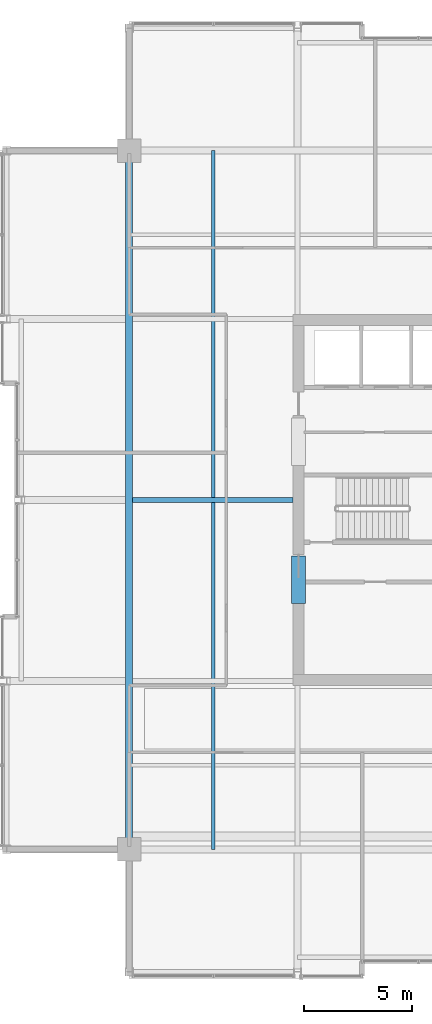
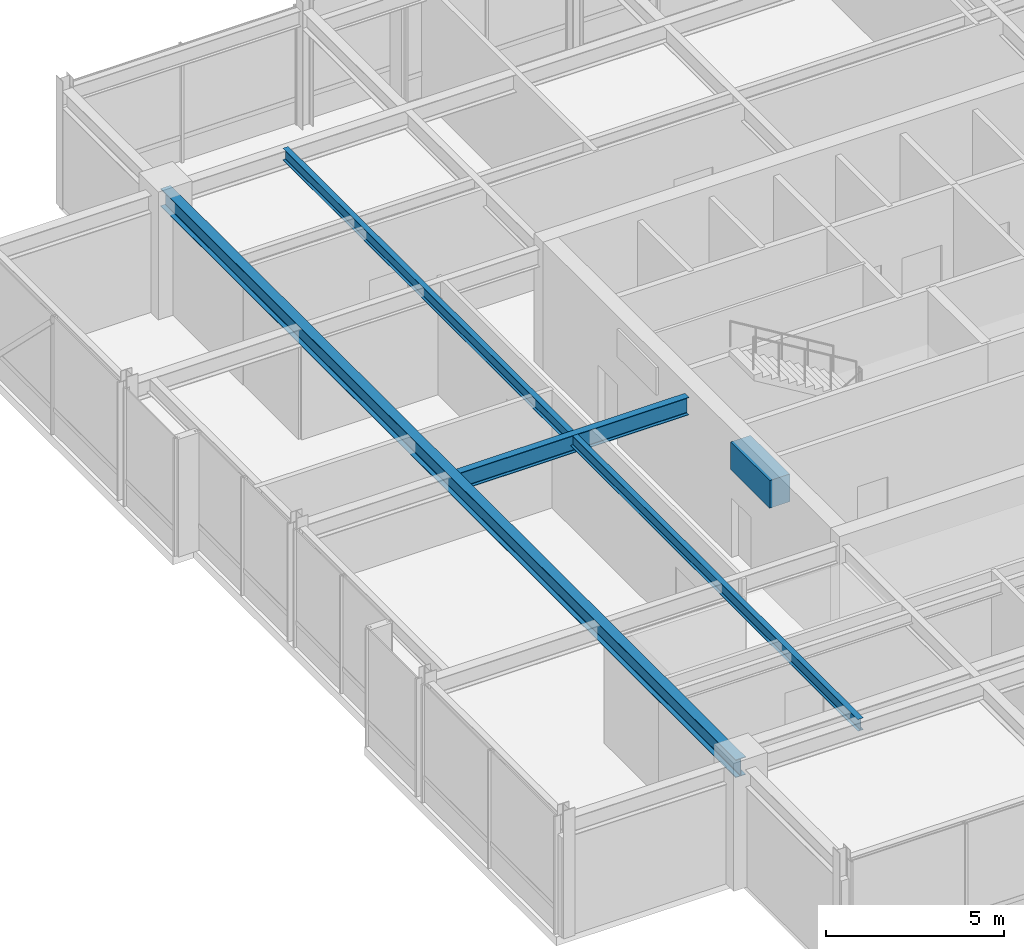
# One storey, part 13 of 33: 4 beams.
"""IFC4 building model written with IfcOpenShell, lengths in metres."""

from ifc_helpers import new_model, si_unit, direction, frame, origin, origin_2d, place, context, subcontext, project, spatial, rectangle, i_section, extrude, material, material_profile, profile_set, type_object, element, save


model = new_model("IFC4")

# Units and contexts
model_context = context("Model", 3, precision=1e-05, world=origin(), true_north=direction((0.0, 1.0)))
body_context = subcontext(model_context, "Body", "Model", "MODEL_VIEW")
ifc_project = project(units=[si_unit("LENGTHUNIT", "METRE"), si_unit("AREAUNIT", "SQUARE_METRE"), si_unit("VOLUMEUNIT", "CUBIC_METRE"), si_unit("PLANEANGLEUNIT", "RADIAN"), si_unit("MASSUNIT", "GRAM", prefix="KILO")], contexts=[model_context])

# Site, building, storey
site_placement = place(None, origin())
site = spatial("IfcSite", under=ifc_project, at=site_placement, CompositionType="ELEMENT")
building_placement = place(site_placement, origin())
building = spatial("IfcBuilding", under=site, at=building_placement, Name="Drelvath Grand Hotel", CompositionType="ELEMENT")
storey_placement = place(building_placement, frame((0.0, 0.0, 298.60009765625)))
storey = spatial("IfcBuildingStorey", under=building, at=storey_placement, Name="L78", CompositionType="ELEMENT", Elevation=298.60009765625)

# Beams
ifc_material_1 = material(Name="Steel ASTM A992 Gr 50", Category="steel")
ifc_material_profile_1 = material_profile(ifc_material_1, i_section(OverallWidth=0.177734375, OverallDepth=0.40673828125, WebThickness=0.0078125, FlangeThickness=0.0126953125, FilletRadius=0.014892578125, at=origin_2d()), Name="W16X40")
ifc_profile_set_1 = profile_set([ifc_material_profile_1], Name="Steel ASTM A992 Gr 50")
beam_type_1 = type_object("IfcBeamType", Name="Composite Floor Joist W16X40", PredefinedType="JOIST", material=ifc_profile_set_1)
beam_1_placement = place(storey_placement, frame((-12.300048828125, 10.800048828125, 3.846435546875), z_axis=(0.0, 1.0, 0.0), x_axis=(-1.0, 0.0, 0.0)))
element("IfcBeam", 1, at=beam_1_placement, inside=storey, type_object=beam_type_1, Name="L78 Wing Floor Joist J3", PredefinedType="JOIST", context=body_context, shape_type="SweptSolid", body=[
    extrude(i_section(OverallWidth=0.177734375, OverallDepth=0.40673828125, WebThickness=0.0078125, FlangeThickness=0.0126953125, FilletRadius=0.014892578125, at=origin_2d()), origin(), (0.0, 0.0, 1.0), 32.39990234375),
])
ifc_material_2 = material(Name="Concrete f'c 55 MPa", Category="concrete")
ifc_material_profile_2 = material_profile(ifc_material_2, rectangle(XDim=0.64990234375, YDim=0.949951171875, at=origin_2d()), Name="CB650X950")
ifc_profile_set_2 = profile_set([ifc_material_profile_2], Name="Concrete f'c 55 MPa")
beam_type_2 = type_object("IfcBeamType", Name="Core Coupling Lintel CB650X950", PredefinedType="LINTEL", material=ifc_profile_set_2)
beam_2_placement = place(storey_placement, frame((-8.35009765625, 22.199951171875, 3.574951171875), z_axis=(0.0, 1.0, 0.0), x_axis=(-1.0, 0.0, 0.0)))
element("IfcBeam", 2, at=beam_2_placement, inside=storey, type_object=beam_type_2, Name="L78 Core Coupling Lintel WS", PredefinedType="LINTEL", context=body_context, shape_type="SweptSolid", body=[
    extrude(rectangle(XDim=0.64990234375, YDim=0.949951171875, at=origin_2d()), origin(), (0.0, 0.0, 1.0), 2.199951171875),
])
ifc_material_profile_3 = material_profile(ifc_material_1, i_section(OverallWidth=0.323974609375, OverallDepth=0.611083984375, WebThickness=0.0126953125, FlangeThickness=0.01904296875, FilletRadius=0.02197265625, at=origin_2d()), Name="W24X104")
ifc_profile_set_3 = profile_set([ifc_material_profile_3], Name="Steel ASTM A992 Gr 50")
beam_type_3 = type_object("IfcBeamType", Name="Primary Floor Girder W24X104", PredefinedType="BEAM", material=ifc_profile_set_3)
beam_3_placement = place(storey_placement, frame((-16.199951171875, 10.800048828125, 3.744384765625), z_axis=(0.0, 1.0, 0.0), x_axis=(-1.0, 0.0, 0.0)))
element("IfcBeam", 3, at=beam_3_placement, inside=storey, type_object=beam_type_3, Name="L78 Mega Ring Girder West", PredefinedType="BEAM", context=body_context, shape_type="SweptSolid", body=[
    extrude(i_section(OverallWidth=0.323974609375, OverallDepth=0.611083984375, WebThickness=0.0126953125, FlangeThickness=0.01904296875, FilletRadius=0.02197265625, at=origin_2d()), origin(), (0.0, 0.0, 1.0), 32.39990234375),
])
ifc_material_profile_4 = material_profile(ifc_material_1, i_section(OverallWidth=0.228271484375, OverallDepth=0.607666015625, WebThickness=0.01123046875, FlangeThickness=0.017333984375, FilletRadius=0.02001953125, at=origin_2d()), Name="W24X76")
ifc_profile_set_4 = profile_set([ifc_material_profile_4], Name="Steel ASTM A992 Gr 50")
beam_type_4 = type_object("IfcBeamType", Name="Primary Floor Girder W24X76", PredefinedType="BEAM", material=ifc_profile_set_4)
beam_4_placement = place(storey_placement, frame((-16.0380859375, 27.0, 3.74609375), z_axis=(1.0, 0.0, 0.0), x_axis=(0.0, 1.0, 0.0)))
element("IfcBeam", 4, at=beam_4_placement, inside=storey, type_object=beam_type_4, Name="L78 West Core Tie E", PredefinedType="BEAM", context=body_context, shape_type="SweptSolid", body=[
    extrude(i_section(OverallWidth=0.228271484375, OverallDepth=0.607666015625, WebThickness=0.01123046875, FlangeThickness=0.017333984375, FilletRadius=0.02001953125, at=origin_2d()), origin(), (0.0, 0.0, 1.0), 7.43798828125),
])

save(model, "model.ifc")
